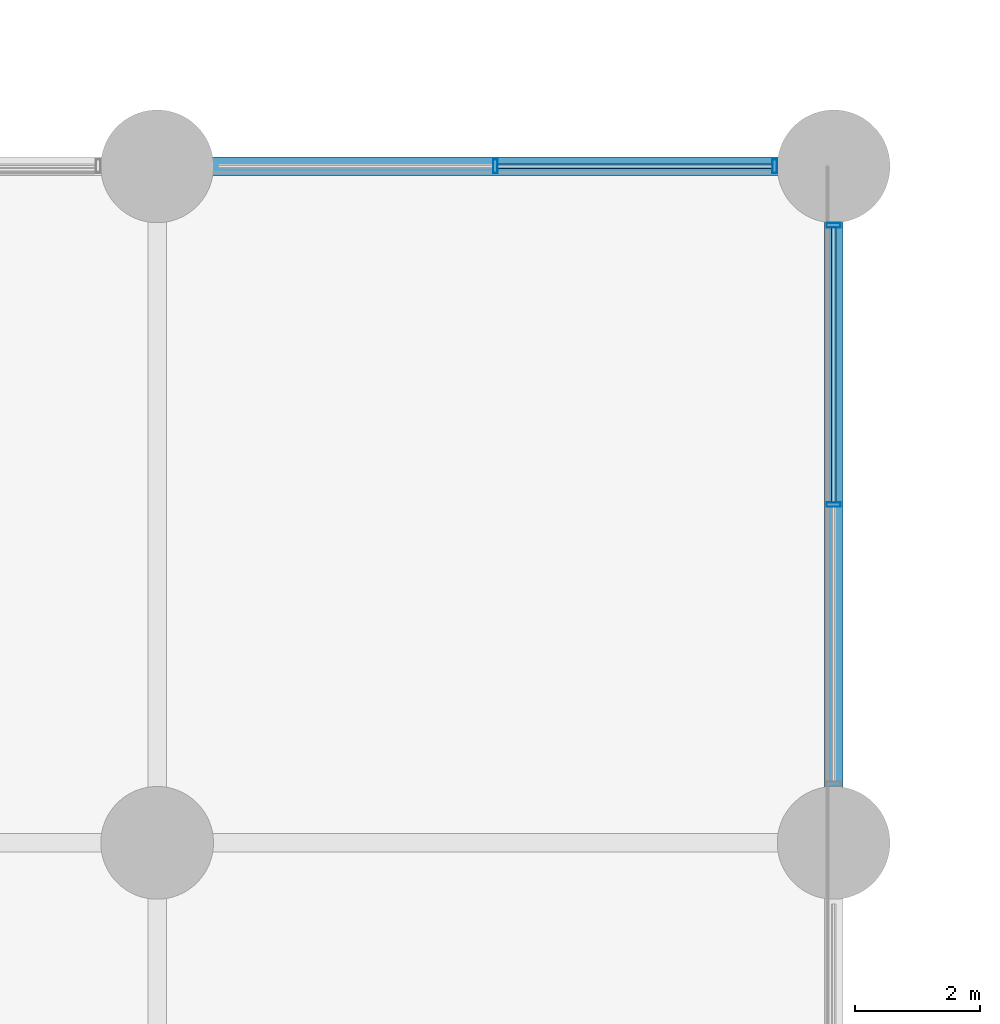
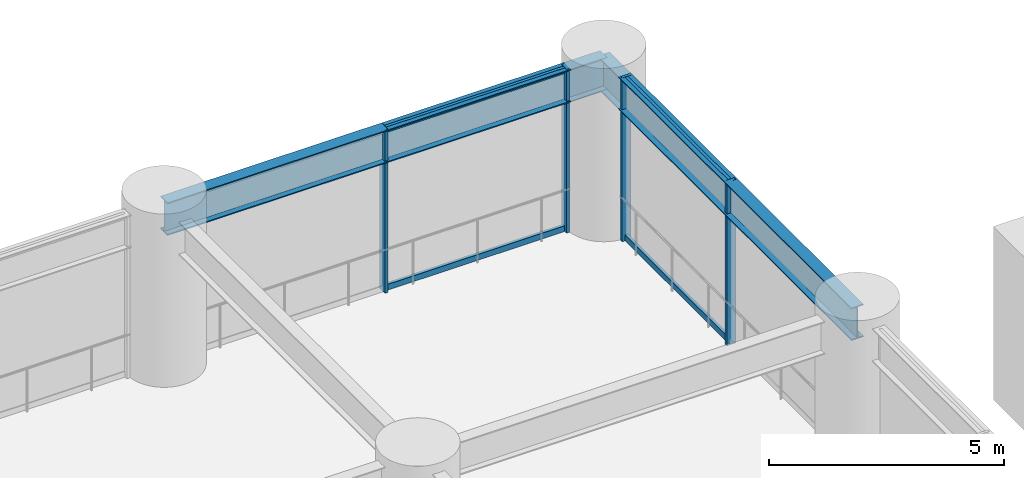
# One storey, part 21 of 31: 8 members, 2 beams, 2 elements without a shape of their own.
"""IFC4 building model written with IfcOpenShell, lengths in metres."""

from ifc_helpers import new_model, si_unit, direction, frame, origin, origin_2d, place, context, subcontext, project, spatial, hollow_rectangle, i_section, extrude, material, layer, layer_set, material_profile, profile_set, type_object, element, aggregate, save


model = new_model("IFC4")

# Units and contexts
model_context = context("Model", 3, precision=1e-05, world=origin(), true_north=direction((0.0, 1.0)))
body_context = subcontext(model_context, "Body", "Model", "MODEL_VIEW")
ifc_project = project(units=[si_unit("LENGTHUNIT", "METRE"), si_unit("AREAUNIT", "SQUARE_METRE"), si_unit("VOLUMEUNIT", "CUBIC_METRE"), si_unit("PLANEANGLEUNIT", "RADIAN"), si_unit("MASSUNIT", "GRAM", prefix="KILO")], contexts=[model_context])

# Site, building, storey
site_placement = place(None, origin())
site = spatial("IfcSite", under=ifc_project, at=site_placement, CompositionType="ELEMENT")
building_placement = place(site_placement, origin())
building = spatial("IfcBuilding", under=site, at=building_placement, Name="Surkhivell Harbour Commons", CompositionType="ELEMENT")
storey_placement = place(building_placement, frame((0.0, 0.0, 4.5)))
storey = spatial("IfcBuildingStorey", under=building, at=storey_placement, Name="L01", CompositionType="ELEMENT", Elevation=4.5)

# Beams
ifc_material_1 = material(Name="Steel S460", Category="steel")
ifc_material_profile_1 = material_profile(ifc_material_1, i_section(OverallWidth=0.2939453125, OverallDepth=0.85107421875, WebThickness=0.01611328125, FlangeThickness=0.02685546875, at=origin_2d()), Name="UB838x292x226")
ifc_profile_set_1 = profile_set([ifc_material_profile_1], Name="Steel S460")
beam_type = type_object("IfcBeamType", Name="BM-SPN-838", PredefinedType="SPANDREL", material=ifc_profile_set_1)
beam_1_placement = place(storey_placement, frame((21.60009765625, 21.60009765625, 3.824462890625), z_axis=(1.0, 0.0, 0.0), x_axis=(0.0, 1.0, 0.0)))
element("IfcBeam", 1, at=beam_1_placement, inside=storey, type_object=beam_type, Name="L01 Framing Beam (21.6,21.6)", PredefinedType="SPANDREL", context=body_context, shape_type="SweptSolid", body=[
    extrude(i_section(OverallWidth=0.2939453125, OverallDepth=0.85107421875, WebThickness=0.01611328125, FlangeThickness=0.02685546875, at=origin_2d()), origin(), (0.0, 0.0, 1.0), 10.7998046875),
])
beam_2_placement = place(storey_placement, frame((32.39990234375, 10.800048828125, 3.824462890625), z_axis=(0.0, 1.0, 0.0), x_axis=(-1.0, 0.0, 0.0)))
element("IfcBeam", 2, at=beam_2_placement, inside=storey, type_object=beam_type, Name="L01 Framing Beam (32.4,10.8)", PredefinedType="SPANDREL", context=body_context, shape_type="SweptSolid", body=[
    extrude(i_section(OverallWidth=0.2939453125, OverallDepth=0.85107421875, WebThickness=0.01611328125, FlangeThickness=0.02685546875, at=origin_2d()), origin(), (0.0, 0.0, 1.0), 10.800048828125),
])

# Curtain wall, members
ifc_material_2 = material(Name="Anodised pale-metal aluminium and insulated glazing", Category="aluminium")
ifc_layer = layer(ifc_material_2, 0.239990234375)
ifc_layer_set = layer_set([ifc_layer], Name="Anodised pale-metal aluminium and insulated glazing")
curtain_wall_type = type_object("IfcCurtainWallType", Name="CW-SYS-POD", PredefinedType="NOTDEFINED", material=ifc_layer_set)
curtain_wall_1_placement = place(storey_placement, origin())
curtain_wall_1 = element("IfcCurtainWall", 3, at=curtain_wall_1_placement, inside=storey, type_object=curtain_wall_type, Name="L01 Curtain Wall CW-L01-P02", PredefinedType="NOTDEFINED")
ifc_material_3 = material(Name="Anodised pale-metal aluminium alloy 6063-T6", Category="aluminium")
ifc_material_profile_2 = material_profile(ifc_material_3, hollow_rectangle(XDim=0.074951171875, YDim=0.219970703125, WallThickness=0.00390625, at=origin_2d()), Name="ALU-MULL-75x220")
ifc_profile_set_2 = profile_set([ifc_material_profile_2], Name="Anodised pale-metal aluminium alloy 6063-T6")
member_type_1 = type_object("IfcMemberType", Name="CWM-220", PredefinedType="MULLION", material=ifc_profile_set_2)
member_1_placement = place(storey_placement, frame((32.39990234375, 16.199951171875, 0.0), z_axis=(0.0, 0.0, 1.0), x_axis=(0.0, 1.0, 0.0)))
member_1 = element("IfcMember", 4, at=member_1_placement, type_object=member_type_1, Name="CW-POD mullion 8", PredefinedType="MULLION", context=body_context, shape_type="SweptSolid", body=[
    extrude(hollow_rectangle(XDim=0.074951171875, YDim=0.219970703125, WallThickness=0.00390625, at=origin_2d()), origin(), (0.0, 0.0, 1.0), 4.25),
])
member_2_placement = place(storey_placement, frame((32.39990234375, 20.660400390625, 0.0), z_axis=(0.0, 0.0, 1.0), x_axis=(0.0, 1.0, 0.0)))
member_2 = element("IfcMember", 5, at=member_2_placement, type_object=member_type_1, Name="CW-POD mullion 9", PredefinedType="MULLION", context=body_context, shape_type="SweptSolid", body=[
    extrude(hollow_rectangle(XDim=0.074951171875, YDim=0.219970703125, WallThickness=0.00390625, at=origin_2d()), origin(), (0.0, 0.0, 1.0), 4.25),
])

curtain_wall_2_placement = place(storey_placement, origin())
curtain_wall_2 = element("IfcCurtainWall", 6, at=curtain_wall_2_placement, inside=storey, type_object=curtain_wall_type, Name="L01 Curtain Wall CW-L01-P03", PredefinedType="NOTDEFINED")
member_3_placement = place(storey_placement, frame((31.46044921875, 21.60009765625, 0.0), z_axis=(0.0, 0.0, 1.0), x_axis=(-1.0, 0.0, 0.0)))
member_3 = element("IfcMember", 7, at=member_3_placement, type_object=member_type_1, Name="CW-POD mullion 1", PredefinedType="MULLION", context=body_context, shape_type="SweptSolid", body=[
    extrude(hollow_rectangle(XDim=0.074951171875, YDim=0.219970703125, WallThickness=0.00390625, at=origin_2d()), origin(), (0.0, 0.0, 1.0), 4.25),
])
member_4_placement = place(storey_placement, frame((27.0, 21.60009765625, 0.0), z_axis=(0.0, 0.0, 1.0), x_axis=(-1.0, 0.0, 0.0)))
member_4 = element("IfcMember", 8, at=member_4_placement, type_object=member_type_1, Name="CW-POD mullion 2", PredefinedType="MULLION", context=body_context, shape_type="SweptSolid", body=[
    extrude(hollow_rectangle(XDim=0.074951171875, YDim=0.219970703125, WallThickness=0.00390625, at=origin_2d()), origin(), (0.0, 0.0, 1.0), 4.25),
])

# Member
ifc_material_profile_3 = material_profile(ifc_material_3, hollow_rectangle(XDim=0.074951171875, YDim=0.14990234375, WallThickness=0.00341796875, at=origin_2d()), Name="ALU-TRAN-75x150")
ifc_profile_set_3 = profile_set([ifc_material_profile_3], Name="Anodised pale-metal aluminium alloy 6063-T6")
member_type_2 = type_object("IfcMemberType", Name="CWT-150", PredefinedType="USERDEFINED", material=ifc_profile_set_3)
member_5_placement = place(storey_placement, frame((32.39990234375, 16.237548828125, 0.074951171875), z_axis=(0.0, 1.0, 0.0), x_axis=(-1.0, 0.0, 0.0)))
member_5 = element("IfcMember", 9, at=member_5_placement, type_object=member_type_2, Name="CW-POD transom 8.1", ObjectType="TRANSOM", PredefinedType="USERDEFINED", context=body_context, shape_type="SweptSolid", body=[
    extrude(hollow_rectangle(XDim=0.074951171875, YDim=0.14990234375, WallThickness=0.00341796875, at=origin_2d()), origin(), (0.0, 0.0, 1.0), 4.385498046875),
])

member_6_placement = place(storey_placement, frame((32.39990234375, 16.237548828125, 4.175048828125), z_axis=(0.0, 1.0, 0.0), x_axis=(-1.0, 0.0, 0.0)))
member_6 = element("IfcMember", 10, at=member_6_placement, type_object=member_type_2, Name="CW-POD transom 8.2", ObjectType="TRANSOM", PredefinedType="USERDEFINED", context=body_context, shape_type="SweptSolid", body=[
    extrude(hollow_rectangle(XDim=0.074951171875, YDim=0.14990234375, WallThickness=0.00341796875, at=origin_2d()), origin(), (0.0, 0.0, 1.0), 4.385498046875),
])

aggregate(curtain_wall_1, [member_1, member_2, member_5, member_6])

member_7_placement = place(storey_placement, frame((31.423095703125, 21.60009765625, 0.074951171875), z_axis=(-1.0, 0.0, 0.0), x_axis=(0.0, -1.0, 0.0)))
member_7 = element("IfcMember", 11, at=member_7_placement, type_object=member_type_2, Name="CW-POD transom 1.1", ObjectType="TRANSOM", PredefinedType="USERDEFINED", context=body_context, shape_type="SweptSolid", body=[
    extrude(hollow_rectangle(XDim=0.074951171875, YDim=0.14990234375, WallThickness=0.00341796875, at=origin_2d()), origin(), (0.0, 0.0, 1.0), 4.385498046875),
])

member_8_placement = place(storey_placement, frame((31.423095703125, 21.60009765625, 4.175048828125), z_axis=(-1.0, 0.0, 0.0), x_axis=(0.0, -1.0, 0.0)))
member_8 = element("IfcMember", 12, at=member_8_placement, type_object=member_type_2, Name="CW-POD transom 1.2", ObjectType="TRANSOM", PredefinedType="USERDEFINED", context=body_context, shape_type="SweptSolid", body=[
    extrude(hollow_rectangle(XDim=0.074951171875, YDim=0.14990234375, WallThickness=0.00341796875, at=origin_2d()), origin(), (0.0, 0.0, 1.0), 4.385498046875),
])

aggregate(curtain_wall_2, [member_3, member_4, member_7, member_8])

save(model, "model.ifc")
